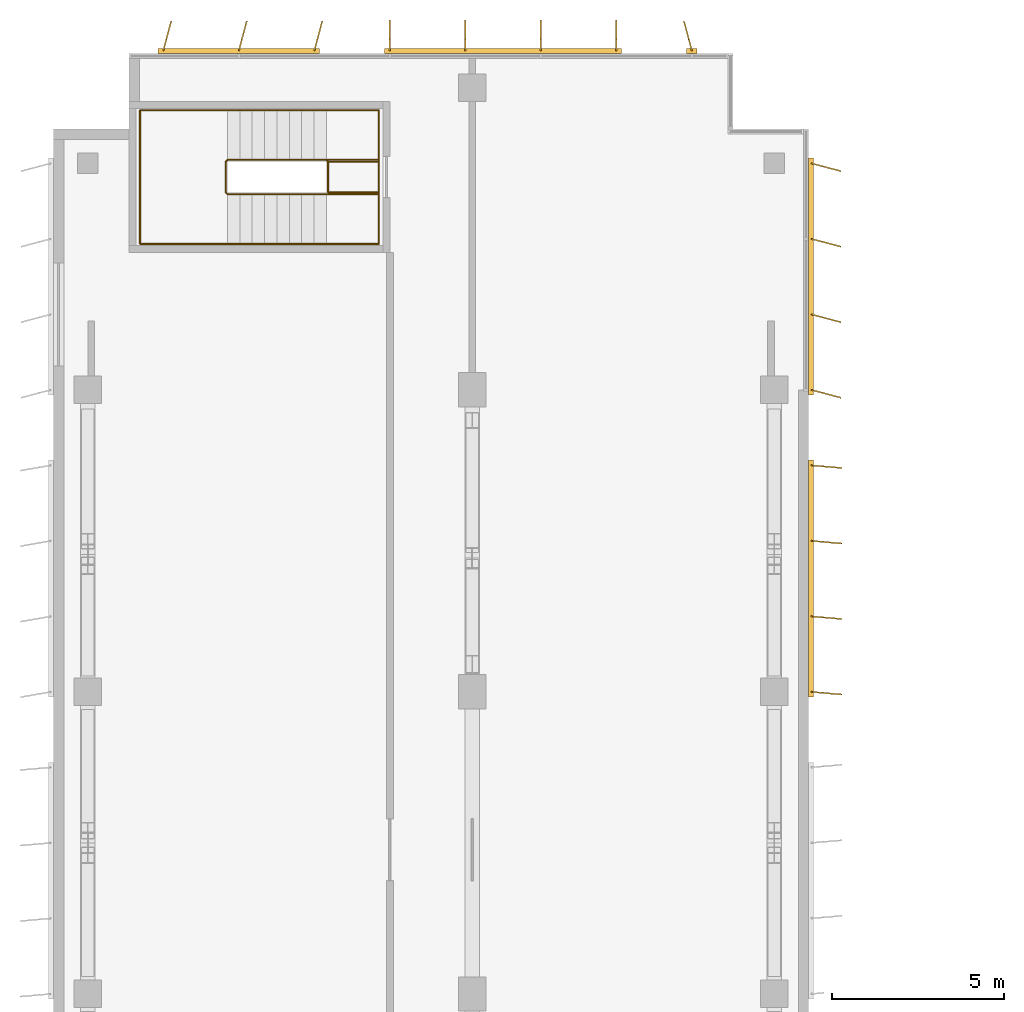
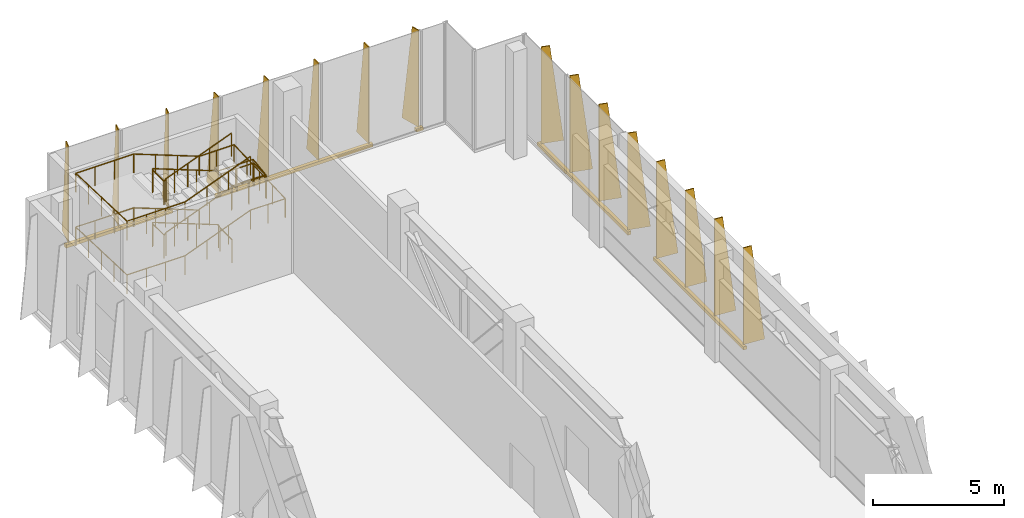
# One storey, part 13 of 13: 5 shading devices, 2 railings.
"""IFC4 building model written with IfcOpenShell, lengths in metres."""

from ifc_helpers import new_model, si_unit, direction, frame, origin, origin_2d, place, context, subcontext, project, spatial, polyline, rectangle, circle, outline, extrude, source, transform, mapped, material, layer, layer_set, type_object, element, save


model = new_model("IFC4")

# Units and contexts
model_context = context("Model", 3, precision=1e-05, world=origin(), true_north=direction((0.0, 1.0)))
body_context = subcontext(model_context, "Body", "Model", "MODEL_VIEW")
ifc_project = project(units=[si_unit("LENGTHUNIT", "METRE"), si_unit("AREAUNIT", "SQUARE_METRE"), si_unit("VOLUMEUNIT", "CUBIC_METRE"), si_unit("PLANEANGLEUNIT", "RADIAN"), si_unit("MASSUNIT", "GRAM", prefix="KILO")], contexts=[model_context])

# Site, building, storey
site_placement = place(None, origin())
site = spatial("IfcSite", under=ifc_project, at=site_placement, CompositionType="ELEMENT")
building_placement = place(site_placement, origin())
building = spatial("IfcBuilding", under=site, at=building_placement, Name="Kemantara Hotel Tower", CompositionType="ELEMENT")
storey_placement = place(building_placement, frame((0.0, 0.0, 256.10009765625)))
storey = spatial("IfcBuildingStorey", under=building, at=storey_placement, Name="L64", CompositionType="ELEMENT", Elevation=256.10009765625)

# Railings
ifc_material_1 = material(Name="Stainless steel balustrade", Category="steel")
railing_type_1 = type_object("IfcRailingType", Name="Stair guard 1100 mm", PredefinedType="GUARDRAIL", material=ifc_material_1)
railing_1_placement = place(storey_placement, frame((7.949951171875, 59.5, 5.0)))
element("IfcRailing", 1, at=railing_1_placement, inside=storey, type_object=railing_type_1, Name="L64 ST4 stair guard 1", PredefinedType="GUARDRAIL", context=body_context, shape_type="SweptSolid", body=[
    extrude(circle(Radius=0.02392578125, at=origin_2d()), frame((0.0, 0.0, 1.076171875), z_axis=(-0.932945501407, 0.0, -0.360017626518), x_axis=(0.0, -1.0, 0.0)), (0.0, 0.0, 1.0), 3.0869140625),
    extrude(circle(Radius=0.02392578125, at=origin_2d()), frame((-2.8798828125, 0.0, -0.03515625), z_axis=(-0.321462751274, 0.321462751274, -0.890687037677), x_axis=(-0.707106781187, -0.707106781187, 0.0)), (0.0, 0.0, 1.0), 0.15576171875),
    extrude(circle(Radius=0.02392578125, at=origin_2d()), frame((-2.929931640625, 0.050048828125, -0.173828125), z_axis=(0.0, 1.0, 0.0), x_axis=(-1.0, 0.0, 0.0)), (0.0, 0.0, 1.0), 0.89990234375),
    extrude(circle(Radius=0.02392578125, at=origin_2d()), frame((-2.929931640625, 0.949951171875, -0.173828125), z_axis=(0.707106781187, 0.707106781187, 0.0), x_axis=(-0.707106781187, 0.707106781187, 0.0)), (0.0, 0.0, 1.0), 0.07080078125),
    extrude(circle(Radius=0.02392578125, at=origin_2d()), frame((-2.8798828125, 1.0, -0.173828125), z_axis=(0.932945501407, 0.0, -0.360017626518), x_axis=(0.0, 1.0, 0.0)), (0.0, 0.0, 1.0), 3.0869140625),
    extrude(circle(Radius=0.02392578125, at=origin_2d()), frame((0.0, 1.0, -1.28515625), z_axis=(1.0, 0.0, 0.0), x_axis=(0.0, 1.0, 0.0)), (0.0, 0.0, 1.0), 1.530029296875),
    extrude(circle(Radius=0.02392578125, at=origin_2d()), frame((1.530029296875, 1.0, -1.28515625), z_axis=(0.0, -0.989512544368, -0.144446960987), x_axis=(1.0, 0.0, 0.0)), (0.0, 0.0, 1.0), 0.9599609375),
    extrude(circle(Radius=0.02392578125, at=origin_2d()), frame((1.530029296875, 0.050048828125, -1.423828125), z_axis=(-1.0, 0.0, 0.0), x_axis=(0.0, -1.0, 0.0)), (0.0, 0.0, 1.0), 1.47998046875),
    extrude(circle(Radius=0.02392578125, at=origin_2d()), frame((0.050048828125, 0.050048828125, -1.423828125), z_axis=(0.0, 1.0, 0.0), x_axis=(-1.0, 0.0, 0.0)), (0.0, 0.0, 1.0), 0.89990234375),
    extrude(circle(Radius=0.02392578125, at=origin_2d()), frame((0.050048828125, 0.949951171875, -1.423828125), z_axis=(1.0, 0.0, 0.0), x_axis=(0.0, 1.0, 0.0)), (0.0, 0.0, 1.0), 1.47998046875),
    extrude(circle(Radius=0.02392578125, at=origin_2d()), frame((1.530029296875, 0.949951171875, -1.423828125), z_axis=(0.0, -1.0, 0.0), x_axis=(1.0, 0.0, 0.0)), (0.0, 0.0, 1.0), 0.949951171875),
    extrude(circle(Radius=0.02392578125, at=origin_2d()), frame((1.530029296875, 0.0, -1.423828125), z_axis=(-1.0, 0.0, 0.0), x_axis=(0.0, -1.0, 0.0)), (0.0, 0.0, 1.0), 1.530029296875),
    extrude(circle(Radius=0.02392578125, at=origin_2d()), frame((0.0, 0.0, -1.423828125), z_axis=(-0.932945501407, 0.0, -0.360017626518), x_axis=(0.0, -1.0, 0.0)), (0.0, 0.0, 1.0), 3.0869140625),
    extrude(circle(Radius=0.02392578125, at=origin_2d()), frame((-2.8798828125, 0.0, -2.53515625), z_axis=(-0.321462751274, 0.321462751274, -0.890687037677), x_axis=(-0.707106781187, -0.707106781187, 0.0)), (0.0, 0.0, 1.0), 0.15576171875),
    extrude(circle(Radius=0.02392578125, at=origin_2d()), frame((-2.929931640625, 0.050048828125, -2.673828125), z_axis=(0.0, 1.0, 0.0), x_axis=(-1.0, 0.0, 0.0)), (0.0, 0.0, 1.0), 0.89990234375),
    extrude(circle(Radius=0.02392578125, at=origin_2d()), frame((-2.929931640625, 0.949951171875, -2.673828125), z_axis=(0.707106781187, 0.707106781187, 0.0), x_axis=(-0.707106781187, 0.707106781187, 0.0)), (0.0, 0.0, 1.0), 0.07080078125),
    extrude(circle(Radius=0.02392578125, at=origin_2d()), frame((-2.8798828125, 1.0, -2.673828125), z_axis=(0.932945501407, 0.0, -0.360017626518), x_axis=(0.0, 1.0, 0.0)), (0.0, 0.0, 1.0), 3.0869140625),
    extrude(circle(Radius=0.02392578125, at=origin_2d()), frame((0.0, 1.0, -3.78515625), z_axis=(0.321462751274, -0.321462751274, -0.890687037677), x_axis=(0.707106781187, 0.707106781187, 0.0)), (0.0, 0.0, 1.0), 0.15576171875),
    extrude(circle(Radius=0.02392578125, at=origin_2d()), frame((0.050048828125, 0.949951171875, -3.923828125), z_axis=(0.0, -1.0, 0.0), x_axis=(1.0, 0.0, 0.0)), (0.0, 0.0, 1.0), 0.89990234375),
    extrude(circle(Radius=0.02099609375, at=origin_2d()), origin(), (0.0, 0.0, 1.0), 1.052001953125),
    extrude(circle(Radius=0.02099609375, at=origin_2d()), frame((-0.9599609375, 0.0, -0.370361328125)), (0.0, 0.0, 1.0), 1.052001953125),
    extrude(circle(Radius=0.02099609375, at=origin_2d()), frame((-1.919921875, 0.0, -0.740966796875)), (0.0, 0.0, 1.0), 1.052001953125),
    extrude(circle(Radius=0.02099609375, at=origin_2d()), frame((-2.8798828125, 0.0, -1.111328125)), (0.0, 0.0, 1.0), 1.052001953125),
    extrude(circle(Radius=0.02099609375, at=origin_2d()), frame((-2.929931640625, 0.050048828125, -1.25)), (0.0, 0.0, 1.0), 1.052001953125),
    extrude(circle(Radius=0.02099609375, at=origin_2d()), frame((-2.929931640625, 0.949951171875, -1.25)), (0.0, 0.0, 1.0), 1.052001953125),
    extrude(circle(Radius=0.02099609375, at=origin_2d()), frame((-2.8798828125, 1.0, -1.25)), (0.0, 0.0, 1.0), 1.052001953125),
    extrude(circle(Radius=0.02099609375, at=origin_2d()), frame((-1.919921875, 1.0, -1.620361328125)), (0.0, 0.0, 1.0), 1.052001953125),
    extrude(circle(Radius=0.02099609375, at=origin_2d()), frame((-0.9599609375, 1.0, -1.990966796875)), (0.0, 0.0, 1.0), 1.052001953125),
    extrude(circle(Radius=0.02099609375, at=origin_2d()), frame((0.0, 1.0, -2.361328125)), (0.0, 0.0, 1.0), 1.052001953125),
    extrude(circle(Radius=0.02099609375, at=origin_2d()), frame((0.76513671875, 1.0, -2.361328125)), (0.0, 0.0, 1.0), 1.052001953125),
    extrude(circle(Radius=0.02099609375, at=origin_2d()), frame((1.530029296875, 1.0, -2.361328125)), (0.0, 0.0, 1.0), 1.052001953125),
    extrude(circle(Radius=0.02099609375, at=origin_2d()), frame((1.530029296875, 0.050048828125, -2.5)), (0.0, 0.0, 1.0), 1.052001953125),
    extrude(circle(Radius=0.02099609375, at=origin_2d()), frame((0.7900390625, 0.050048828125, -2.5)), (0.0, 0.0, 1.0), 1.052001953125),
    extrude(circle(Radius=0.02099609375, at=origin_2d()), frame((0.050048828125, 0.050048828125, -2.5)), (0.0, 0.0, 1.0), 1.052001953125),
    extrude(circle(Radius=0.02099609375, at=origin_2d()), frame((0.050048828125, 0.949951171875, -2.5)), (0.0, 0.0, 1.0), 1.052001953125),
    extrude(circle(Radius=0.02099609375, at=origin_2d()), frame((0.7900390625, 0.949951171875, -2.5)), (0.0, 0.0, 1.0), 1.052001953125),
    extrude(circle(Radius=0.02099609375, at=origin_2d()), frame((1.530029296875, 0.949951171875, -2.5)), (0.0, 0.0, 1.0), 1.052001953125),
    extrude(circle(Radius=0.02099609375, at=origin_2d()), frame((1.530029296875, 0.0, -2.5)), (0.0, 0.0, 1.0), 1.052001953125),
    extrude(circle(Radius=0.02099609375, at=origin_2d()), frame((0.76513671875, 0.0, -2.5)), (0.0, 0.0, 1.0), 1.052001953125),
    extrude(circle(Radius=0.02099609375, at=origin_2d()), frame((0.0, 0.0, -2.5)), (0.0, 0.0, 1.0), 1.052001953125),
    extrude(circle(Radius=0.02099609375, at=origin_2d()), frame((-0.9599609375, 0.0, -2.870361328125)), (0.0, 0.0, 1.0), 1.052001953125),
    extrude(circle(Radius=0.02099609375, at=origin_2d()), frame((-1.919921875, 0.0, -3.240966796875)), (0.0, 0.0, 1.0), 1.052001953125),
    extrude(circle(Radius=0.02099609375, at=origin_2d()), frame((-2.8798828125, 0.0, -3.611328125)), (0.0, 0.0, 1.0), 1.052001953125),
    extrude(circle(Radius=0.02099609375, at=origin_2d()), frame((-2.929931640625, 0.050048828125, -3.75)), (0.0, 0.0, 1.0), 1.052001953125),
    extrude(circle(Radius=0.02099609375, at=origin_2d()), frame((-2.929931640625, 0.949951171875, -3.75)), (0.0, 0.0, 1.0), 1.052001953125),
    extrude(circle(Radius=0.02099609375, at=origin_2d()), frame((-2.8798828125, 1.0, -3.75)), (0.0, 0.0, 1.0), 1.052001953125),
    extrude(circle(Radius=0.02099609375, at=origin_2d()), frame((-1.919921875, 1.0, -4.120361328125)), (0.0, 0.0, 1.0), 1.052001953125),
    extrude(circle(Radius=0.02099609375, at=origin_2d()), frame((-0.9599609375, 1.0, -4.490966796875)), (0.0, 0.0, 1.0), 1.052001953125),
    extrude(circle(Radius=0.02099609375, at=origin_2d()), frame((0.0, 1.0, -4.861328125)), (0.0, 0.0, 1.0), 1.052001953125),
    extrude(circle(Radius=0.02099609375, at=origin_2d()), frame((0.050048828125, 0.949951171875, -5.0)), (0.0, 0.0, 1.0), 1.052001953125),
    extrude(circle(Radius=0.02099609375, at=origin_2d()), frame((0.050048828125, 0.050048828125, -5.0)), (0.0, 0.0, 1.0), 1.052001953125),
])
railing_type_2 = type_object("IfcRailingType", Name="Stair handrail 900 mm", PredefinedType="HANDRAIL", material=ifc_material_1)
railing_2_placement = place(storey_placement, frame((7.949951171875, 61.949951171875, 0.138671875)))
element("IfcRailing", 2, at=railing_2_placement, inside=storey, type_object=railing_type_2, Name="L64 ST4 stair handrail 1", PredefinedType="HANDRAIL", context=body_context, shape_type="SweptSolid", body=[
    extrude(circle(Radius=0.02392578125, at=origin_2d()), frame((0.0, 0.0, 0.8759765625), z_axis=(-0.932945501407, 0.0, 0.360017626518), x_axis=(0.0, -1.0, 0.0)), (0.0, 0.0, 1.0), 3.0869140625),
    extrude(circle(Radius=0.02392578125, at=origin_2d()), frame((-2.8798828125, 0.0, 1.9873046875), z_axis=(-1.0, 0.0, 0.0), x_axis=(0.0, -1.0, 0.0)), (0.0, 0.0, 1.0), 2.550048828125),
    extrude(circle(Radius=0.02392578125, at=origin_2d()), frame((-5.429931640625, 0.0, 1.9873046875), z_axis=(0.0, -0.999368420934, 0.035535323844), x_axis=(1.0, 0.0, 0.0)), (0.0, 0.0, 1.0), 3.90234375),
    extrude(circle(Radius=0.02392578125, at=origin_2d()), frame((-5.429931640625, -3.89990234375, 2.1259765625), z_axis=(1.0, 0.0, 0.0), x_axis=(0.0, 1.0, 0.0)), (0.0, 0.0, 1.0), 2.550048828125),
    extrude(circle(Radius=0.02392578125, at=origin_2d()), frame((-2.8798828125, -3.89990234375, 2.1259765625), z_axis=(0.932945501407, 0.0, 0.360017626518), x_axis=(0.0, 1.0, 0.0)), (0.0, 0.0, 1.0), 3.0869140625),
    extrude(circle(Radius=0.02392578125, at=origin_2d()), frame((0.0, -3.89990234375, 3.2373046875), z_axis=(1.0, 0.0, 0.0), x_axis=(0.0, 1.0, 0.0)), (0.0, 0.0, 1.0), 1.530029296875),
    extrude(circle(Radius=0.02392578125, at=origin_2d()), frame((1.530029296875, -3.89990234375, 3.2373046875), z_axis=(0.0, 0.999368420934, 0.035535323844), x_axis=(-1.0, 0.0, 0.0)), (0.0, 0.0, 1.0), 3.90234375),
    extrude(circle(Radius=0.02392578125, at=origin_2d()), frame((1.530029296875, 0.0, 3.3759765625), z_axis=(-1.0, 0.0, 0.0), x_axis=(0.0, -1.0, 0.0)), (0.0, 0.0, 1.0), 1.530029296875),
    extrude(circle(Radius=0.02392578125, at=origin_2d()), frame((0.0, 0.0, 3.3759765625), z_axis=(-0.932945501407, 0.0, 0.360017626518), x_axis=(0.0, -1.0, 0.0)), (0.0, 0.0, 1.0), 3.0869140625),
    extrude(circle(Radius=0.02392578125, at=origin_2d()), frame((-2.8798828125, 0.0, 4.4873046875), z_axis=(-1.0, 0.0, 0.0), x_axis=(0.0, -1.0, 0.0)), (0.0, 0.0, 1.0), 2.550048828125),
    extrude(circle(Radius=0.02392578125, at=origin_2d()), frame((-5.429931640625, 0.0, 4.4873046875), z_axis=(0.0, -0.999368420934, 0.035535323844), x_axis=(1.0, 0.0, 0.0)), (0.0, 0.0, 1.0), 3.90234375),
    extrude(circle(Radius=0.02392578125, at=origin_2d()), frame((-5.429931640625, -3.89990234375, 4.6259765625), z_axis=(1.0, 0.0, 0.0), x_axis=(0.0, 1.0, 0.0)), (0.0, 0.0, 1.0), 2.550048828125),
    extrude(circle(Radius=0.02392578125, at=origin_2d()), frame((-2.8798828125, -3.89990234375, 4.6259765625), z_axis=(0.932945501407, 0.0, 0.360017626518), x_axis=(0.0, 1.0, 0.0)), (0.0, 0.0, 1.0), 3.0869140625),
    extrude(circle(Radius=0.02099609375, at=origin_2d()), origin(), (0.0, 0.0, 1.0), 0.851806640625),
    extrude(circle(Radius=0.02099609375, at=origin_2d()), frame((-0.9599609375, 0.0, 0.370361328125)), (0.0, 0.0, 1.0), 0.851806640625),
    extrude(circle(Radius=0.02099609375, at=origin_2d()), frame((-1.919921875, 0.0, 0.740966796875)), (0.0, 0.0, 1.0), 0.851806640625),
    extrude(circle(Radius=0.02099609375, at=origin_2d()), frame((-2.8798828125, 0.0, 1.111328125)), (0.0, 0.0, 1.0), 0.851806640625),
    extrude(circle(Radius=0.02099609375, at=origin_2d()), frame((-3.72998046875, 0.0, 1.111328125)), (0.0, 0.0, 1.0), 0.851806640625),
    extrude(circle(Radius=0.02099609375, at=origin_2d()), frame((-4.579833984375, 0.0, 1.111328125)), (0.0, 0.0, 1.0), 0.851806640625),
    extrude(circle(Radius=0.02099609375, at=origin_2d()), frame((-5.429931640625, 0.0, 1.111328125)), (0.0, 0.0, 1.0), 0.851806640625),
    extrude(circle(Radius=0.02099609375, at=origin_2d()), frame((-5.429931640625, -0.97509765625, 1.14599609375)), (0.0, 0.0, 1.0), 0.851806640625),
    extrude(circle(Radius=0.02099609375, at=origin_2d()), frame((-5.429931640625, -1.949951171875, 1.1806640625)), (0.0, 0.0, 1.0), 0.851806640625),
    extrude(circle(Radius=0.02099609375, at=origin_2d()), frame((-5.429931640625, -2.9248046875, 1.21533203125)), (0.0, 0.0, 1.0), 0.851806640625),
    extrude(circle(Radius=0.02099609375, at=origin_2d()), frame((-5.429931640625, -3.89990234375, 1.25)), (0.0, 0.0, 1.0), 0.851806640625),
    extrude(circle(Radius=0.02099609375, at=origin_2d()), frame((-4.579833984375, -3.89990234375, 1.25)), (0.0, 0.0, 1.0), 0.851806640625),
    extrude(circle(Radius=0.02099609375, at=origin_2d()), frame((-3.72998046875, -3.89990234375, 1.25)), (0.0, 0.0, 1.0), 0.851806640625),
    extrude(circle(Radius=0.02099609375, at=origin_2d()), frame((-2.8798828125, -3.89990234375, 1.25)), (0.0, 0.0, 1.0), 0.851806640625),
    extrude(circle(Radius=0.02099609375, at=origin_2d()), frame((-1.919921875, -3.89990234375, 1.620361328125)), (0.0, 0.0, 1.0), 0.851806640625),
    extrude(circle(Radius=0.02099609375, at=origin_2d()), frame((-0.9599609375, -3.89990234375, 1.990966796875)), (0.0, 0.0, 1.0), 0.851806640625),
    extrude(circle(Radius=0.02099609375, at=origin_2d()), frame((0.0, -3.89990234375, 2.361328125)), (0.0, 0.0, 1.0), 0.851806640625),
    extrude(circle(Radius=0.02099609375, at=origin_2d()), frame((0.76513671875, -3.89990234375, 2.361328125)), (0.0, 0.0, 1.0), 0.851806640625),
    extrude(circle(Radius=0.02099609375, at=origin_2d()), frame((1.530029296875, -3.89990234375, 2.361328125)), (0.0, 0.0, 1.0), 0.851806640625),
    extrude(circle(Radius=0.02099609375, at=origin_2d()), frame((1.530029296875, -2.9248046875, 2.39599609375)), (0.0, 0.0, 1.0), 0.851806640625),
    extrude(circle(Radius=0.02099609375, at=origin_2d()), frame((1.530029296875, -1.949951171875, 2.4306640625)), (0.0, 0.0, 1.0), 0.851806640625),
    extrude(circle(Radius=0.02099609375, at=origin_2d()), frame((1.530029296875, -0.97509765625, 2.46533203125)), (0.0, 0.0, 1.0), 0.851806640625),
    extrude(circle(Radius=0.02099609375, at=origin_2d()), frame((1.530029296875, 0.0, 2.5)), (0.0, 0.0, 1.0), 0.851806640625),
    extrude(circle(Radius=0.02099609375, at=origin_2d()), frame((0.76513671875, 0.0, 2.5)), (0.0, 0.0, 1.0), 0.851806640625),
    extrude(circle(Radius=0.02099609375, at=origin_2d()), frame((0.0, 0.0, 2.5)), (0.0, 0.0, 1.0), 0.851806640625),
    extrude(circle(Radius=0.02099609375, at=origin_2d()), frame((-0.9599609375, 0.0, 2.870361328125)), (0.0, 0.0, 1.0), 0.851806640625),
    extrude(circle(Radius=0.02099609375, at=origin_2d()), frame((-1.919921875, 0.0, 3.240966796875)), (0.0, 0.0, 1.0), 0.851806640625),
    extrude(circle(Radius=0.02099609375, at=origin_2d()), frame((-2.8798828125, 0.0, 3.611328125)), (0.0, 0.0, 1.0), 0.851806640625),
    extrude(circle(Radius=0.02099609375, at=origin_2d()), frame((-3.72998046875, 0.0, 3.611328125)), (0.0, 0.0, 1.0), 0.851806640625),
    extrude(circle(Radius=0.02099609375, at=origin_2d()), frame((-4.579833984375, 0.0, 3.611328125)), (0.0, 0.0, 1.0), 0.851806640625),
    extrude(circle(Radius=0.02099609375, at=origin_2d()), frame((-5.429931640625, 0.0, 3.611328125)), (0.0, 0.0, 1.0), 0.851806640625),
    extrude(circle(Radius=0.02099609375, at=origin_2d()), frame((-5.429931640625, -0.97509765625, 3.64599609375)), (0.0, 0.0, 1.0), 0.851806640625),
    extrude(circle(Radius=0.02099609375, at=origin_2d()), frame((-5.429931640625, -1.949951171875, 3.6806640625)), (0.0, 0.0, 1.0), 0.851806640625),
    extrude(circle(Radius=0.02099609375, at=origin_2d()), frame((-5.429931640625, -2.9248046875, 3.71533203125)), (0.0, 0.0, 1.0), 0.851806640625),
    extrude(circle(Radius=0.02099609375, at=origin_2d()), frame((-5.429931640625, -3.89990234375, 3.75)), (0.0, 0.0, 1.0), 0.851806640625),
    extrude(circle(Radius=0.02099609375, at=origin_2d()), frame((-4.579833984375, -3.89990234375, 3.75)), (0.0, 0.0, 1.0), 0.851806640625),
    extrude(circle(Radius=0.02099609375, at=origin_2d()), frame((-3.72998046875, -3.89990234375, 3.75)), (0.0, 0.0, 1.0), 0.851806640625),
    extrude(circle(Radius=0.02099609375, at=origin_2d()), frame((-2.8798828125, -3.89990234375, 3.75)), (0.0, 0.0, 1.0), 0.851806640625),
    extrude(circle(Radius=0.02099609375, at=origin_2d()), frame((-1.919921875, -3.89990234375, 4.120361328125)), (0.0, 0.0, 1.0), 0.851806640625),
    extrude(circle(Radius=0.02099609375, at=origin_2d()), frame((-0.9599609375, -3.89990234375, 4.490966796875)), (0.0, 0.0, 1.0), 0.851806640625),
    extrude(circle(Radius=0.02099609375, at=origin_2d()), frame((0.0, -3.89990234375, 4.861328125)), (0.0, 0.0, 1.0), 0.851806640625),
])

# Shading devices
ifc_material_2 = material(Name="Perforated aluminium plate 4 mm bronze anodised", Category="aluminium")
ifc_layer_1 = layer(ifc_material_2, 0.0400390625)
ifc_layer_set_1 = layer_set([ifc_layer_1], Name="Perforated aluminium plate 4 mm bronze anodised")
shading_device_type_1 = type_object("IfcShadingDeviceType", Name="SCREEN FIN CASSETTE, 3 BLADES AT -15.0 DEG, 4500 HIGH", PredefinedType="USERDEFINED", material=ifc_layer_set_1)
shared_shape_1 = source(origin(), body_context, "Body", "SweptSolid", [
    extrude(rectangle(XDim=4.699951171875, YDim=0.14990234375, at=origin_2d()), frame((2.199951171875, -0.074951171875, -0.14990234375), z_axis=(0.0, 0.0, 1.0), x_axis=(1.0, 0.0, 0.0)), (0.0, 0.0, 1.0), 0.14990234375),
    extrude(outline(polyline([(0.0, 0.0), (0.89990234375, 0.0), (0.35009765625, 4.5), (0.0, 4.5), (0.0, 0.0)])), frame((0.019287109375, -0.080078125, 0.0), z_axis=(-0.966437683387, 0.256901156343, 0.0), x_axis=(-0.256901156343, -0.966437683387, 0.0)), (0.0, 0.0, 1.0), 0.039794921875),
    extrude(outline(polyline([(0.0, 0.0), (0.89990234375, 0.0), (0.35009765625, 4.5), (0.0, 4.5), (0.0, 0.0)])), frame((2.21923828125, -0.080078125, 0.0), z_axis=(-0.966437683387, 0.256901156343, 0.0), x_axis=(-0.256901156343, -0.966437683387, 0.0)), (0.0, 0.0, 1.0), 0.039794921875),
    extrude(outline(polyline([(0.0, 0.0), (0.89990234375, 0.0), (0.35009765625, 4.5), (0.0, 4.5), (0.0, 0.0)])), frame((4.41943359375, -0.080078125, 0.0), z_axis=(-0.966837822169, 0.255391122837, 0.0), x_axis=(-0.255391122837, -0.966837822169, 0.0)), (0.0, 0.0, 1.0), 0.0400390625),
])
shading_device_1_placement = place(storey_placement, frame((7.60009765625, 63.60009765625, 0.099853515625), z_axis=(0.0, 0.0, 1.0), x_axis=(-1.0, 0.0, 0.0)))
element("IfcShadingDevice", 3, at=shading_device_1_placement, inside=storey, type_object=shading_device_type_1, Name="SCREEN FIN CASSETTE L64 T4-R02-3", ObjectType="SCREEN FIN", PredefinedType="USERDEFINED", context=body_context, shape_type="MappedRepresentation", body=[
    mapped(shared_shape_1, transform((0.0, 0.0, 0.0))),
])
ifc_layer_2 = layer(ifc_material_2, 0.0400390625)
ifc_layer_set_2 = layer_set([ifc_layer_2], Name="Perforated aluminium plate 4 mm bronze anodised")
shading_device_type_2 = type_object("IfcShadingDeviceType", Name="SCREEN FIN CASSETTE, 4 BLADES AT -5.0 DEG, 4500 HIGH", PredefinedType="USERDEFINED", material=ifc_layer_set_2)
shared_shape_2 = source(origin(), body_context, "Body", "SweptSolid", [
    extrude(rectangle(XDim=6.89990234375, YDim=0.14990234375, at=origin_2d()), frame((3.300048828125, -0.074951171875, -0.14990234375), z_axis=(0.0, 0.0, 1.0), x_axis=(1.0, 0.0, 0.0)), (0.0, 0.0, 1.0), 0.14990234375),
    extrude(outline(polyline([(0.0, 0.0), (0.89990234375, 0.0), (0.35009765625, 4.5), (0.0, 4.5), (0.0, 0.0)])), frame((0.02001953125, -0.07666015625, 0.0), z_axis=(-0.996376129781, 0.085056498884, 0.0), x_axis=(-0.085056498884, -0.996376129781, 0.0)), (0.0, 0.0, 1.0), 0.040283203125),
    extrude(outline(polyline([(0.0, 0.0), (0.89990234375, 0.0), (0.35009765625, 4.5), (0.0, 4.5), (0.0, 0.0)])), frame((2.219970703125, -0.07666015625, 0.0), z_axis=(-0.996331773833, 0.085574508182, 0.0), x_axis=(-0.085574508182, -0.996331773833, 0.0)), (0.0, 0.0, 1.0), 0.0400390625),
    extrude(outline(polyline([(0.0, 0.0), (0.89990234375, 0.0), (0.35009765625, 4.5), (0.0, 4.5), (0.0, 0.0)])), frame((4.419921875, -0.07666015625, 0.0), z_axis=(-0.996331773833, 0.085574508182, 0.0), x_axis=(-0.085574508182, -0.996331773833, 0.0)), (0.0, 0.0, 1.0), 0.0400390625),
    extrude(outline(polyline([(0.0, 0.0), (0.89990234375, 0.0), (0.35009765625, 4.5), (0.0, 4.5), (0.0, 0.0)])), frame((6.619873046875, -0.07666015625, 0.0), z_axis=(-0.996331773833, 0.085574508182, 0.0), x_axis=(-0.085574508182, -0.996331773833, 0.0)), (0.0, 0.0, 1.0), 0.0400390625),
])
shading_device_2_placement = place(storey_placement, frame((22.0, 45.0, 0.099853515625), z_axis=(0.0, 0.0, 1.0), x_axis=(0.0, 1.0, 0.0)))
element("IfcShadingDevice", 4, at=shading_device_2_placement, inside=storey, type_object=shading_device_type_2, Name="SCREEN FIN CASSETTE L64 T4-R15-3", ObjectType="SCREEN FIN", PredefinedType="USERDEFINED", context=body_context, shape_type="MappedRepresentation", body=[
    mapped(shared_shape_2, transform((0.0, 0.0, 0.0))),
])
ifc_layer_3 = layer(ifc_material_2, 0.0400390625)
ifc_layer_set_3 = layer_set([ifc_layer_3], Name="Perforated aluminium plate 4 mm bronze anodised")
shading_device_type_3 = type_object("IfcShadingDeviceType", Name="SCREEN FIN CASSETTE, 4 BLADES AT +0.0 DEG, 4500 HIGH", PredefinedType="USERDEFINED", material=ifc_layer_set_3)
shared_shape_3 = source(origin(), body_context, "Body", "SweptSolid", [
    extrude(rectangle(XDim=6.89990234375, YDim=0.14990234375, at=origin_2d()), frame((3.300048828125, -0.074951171875, -0.14990234375), z_axis=(0.0, 0.0, 1.0), x_axis=(1.0, 0.0, 0.0)), (0.0, 0.0, 1.0), 0.14990234375),
    extrude(outline(polyline([(0.0, 0.0), (0.89990234375, 0.0), (0.35009765625, 4.5), (0.0, 4.5), (0.0, 0.0)])), frame((0.02001953125, -0.074951171875, 0.0), z_axis=(-1.0, 0.0, 0.0), x_axis=(0.0, -1.0, 0.0)), (0.0, 0.0, 1.0), 0.0400390625),
    extrude(outline(polyline([(0.0, 0.0), (0.89990234375, 0.0), (0.35009765625, 4.5), (0.0, 4.5), (0.0, 0.0)])), frame((2.219970703125, -0.074951171875, 0.0), z_axis=(-1.0, 0.0, 0.0), x_axis=(0.0, -1.0, 0.0)), (0.0, 0.0, 1.0), 0.0400390625),
    extrude(outline(polyline([(0.0, 0.0), (0.89990234375, 0.0), (0.35009765625, 4.5), (0.0, 4.5), (0.0, 0.0)])), frame((4.419921875, -0.074951171875, 0.0), z_axis=(-1.0, 0.0, 0.0), x_axis=(0.0, -1.0, 0.0)), (0.0, 0.0, 1.0), 0.0400390625),
    extrude(outline(polyline([(0.0, 0.0), (0.89990234375, 0.0), (0.35009765625, 4.5), (0.0, 4.5), (0.0, 0.0)])), frame((6.6201171875, -0.074951171875, 0.0), z_axis=(-1.0, 0.0, 0.0), x_axis=(0.0, -1.0, 0.0)), (0.0, 0.0, 1.0), 0.0400390625),
])
shading_device_3_placement = place(storey_placement, frame((16.39990234375, 63.60009765625, 0.099853515625), z_axis=(0.0, 0.0, 1.0), x_axis=(-1.0, 0.0, 0.0)))
element("IfcShadingDevice", 5, at=shading_device_3_placement, inside=storey, type_object=shading_device_type_3, Name="SCREEN FIN CASSETTE L64 T4-R02-2", ObjectType="SCREEN FIN", PredefinedType="USERDEFINED", context=body_context, shape_type="MappedRepresentation", body=[
    mapped(shared_shape_3, transform((0.0, 0.0, 0.0))),
])
ifc_layer_4 = layer(ifc_material_2, 0.0400390625)
ifc_layer_set_4 = layer_set([ifc_layer_4], Name="Perforated aluminium plate 4 mm bronze anodised")
shading_device_type_4 = type_object("IfcShadingDeviceType", Name="SCREEN FIN CASSETTE, 4 BLADES AT -15.0 DEG, 4500 HIGH", PredefinedType="USERDEFINED", material=ifc_layer_set_4)
shared_shape_4 = source(origin(), body_context, "Body", "SweptSolid", [
    extrude(rectangle(XDim=6.89990234375, YDim=0.14990234375, at=origin_2d()), frame((3.300048828125, -0.074951171875, -0.14990234375), z_axis=(0.0, 0.0, 1.0), x_axis=(1.0, 0.0, 0.0)), (0.0, 0.0, 1.0), 0.14990234375),
    extrude(outline(polyline([(0.0, 0.0), (0.89990234375, 0.0), (0.35009765625, 4.5), (0.0, 4.5), (0.0, 0.0)])), frame((0.019287109375, -0.080078125, 0.0), z_axis=(-0.966437683387, 0.256901156343, 0.0), x_axis=(-0.256901156343, -0.966437683387, 0.0)), (0.0, 0.0, 1.0), 0.039794921875),
    extrude(outline(polyline([(0.0, 0.0), (0.89990234375, 0.0), (0.35009765625, 4.5), (0.0, 4.5), (0.0, 0.0)])), frame((2.21923828125, -0.080078125, 0.0), z_axis=(-0.966437683387, 0.256901156343, 0.0), x_axis=(-0.256901156343, -0.966437683387, 0.0)), (0.0, 0.0, 1.0), 0.039794921875),
    extrude(outline(polyline([(0.0, 0.0), (0.89990234375, 0.0), (0.35009765625, 4.5), (0.0, 4.5), (0.0, 0.0)])), frame((4.41943359375, -0.080078125, 0.0), z_axis=(-0.966837822169, 0.255391122837, 0.0), x_axis=(-0.255391122837, -0.966837822169, 0.0)), (0.0, 0.0, 1.0), 0.0400390625),
    extrude(outline(polyline([(0.0, 0.0), (0.89990234375, 0.0), (0.35009765625, 4.5), (0.0, 4.5), (0.0, 0.0)])), frame((6.619384765625, -0.080078125, 0.0), z_axis=(-0.966837822169, 0.255391122837, 0.0), x_axis=(-0.255391122837, -0.966837822169, 0.0)), (0.0, 0.0, 1.0), 0.0400390625),
])
shading_device_4_placement = place(storey_placement, frame((22.0, 53.800048828125, 0.099853515625), z_axis=(0.0, 0.0, 1.0), x_axis=(0.0, 1.0, 0.0)))
element("IfcShadingDevice", 6, at=shading_device_4_placement, inside=storey, type_object=shading_device_type_4, Name="SCREEN FIN CASSETTE L64 T4-R15-4", ObjectType="SCREEN FIN", PredefinedType="USERDEFINED", context=body_context, shape_type="MappedRepresentation", body=[
    mapped(shared_shape_4, transform((0.0, 0.0, 0.0))),
])
ifc_layer_5 = layer(ifc_material_2, 0.0400390625)
ifc_layer_set_5 = layer_set([ifc_layer_5], Name="Perforated aluminium plate 4 mm bronze anodised")
shading_device_type_5 = type_object("IfcShadingDeviceType", Name="SCREEN FIN CASSETTE, 1 BLADE AT +15.0 DEG, 4500 HIGH", PredefinedType="USERDEFINED", material=ifc_layer_set_5)
shared_shape_5 = source(origin(), body_context, "Body", "SweptSolid", [
    extrude(rectangle(XDim=0.300048828125, YDim=0.14990234375, at=origin_2d()), frame((0.0, -0.074951171875, -0.14990234375), z_axis=(0.0, 0.0, 1.0), x_axis=(1.0, 0.0, 0.0)), (0.0, 0.0, 1.0), 0.14990234375),
    extrude(outline(polyline([(0.0, 0.0), (0.89990234375, 0.0), (0.35009765625, 4.5), (0.0, 4.5), (0.0, 0.0)])), frame((0.019287109375, -0.06982421875, 0.0), z_axis=(-0.966437683387, -0.256901156343, 0.0), x_axis=(0.256901156343, -0.966437683387, 0.0)), (0.0, 0.0, 1.0), 0.039794921875),
])
shading_device_5_placement = place(storey_placement, frame((18.60009765625, 63.60009765625, 0.099853515625), z_axis=(0.0, 0.0, 1.0), x_axis=(-1.0, 0.0, 0.0)))
element("IfcShadingDevice", 7, at=shading_device_5_placement, inside=storey, type_object=shading_device_type_5, Name="SCREEN FIN CASSETTE L64 T4-R02-1", ObjectType="SCREEN FIN", PredefinedType="USERDEFINED", context=body_context, shape_type="MappedRepresentation", body=[
    mapped(shared_shape_5, transform((0.0, 0.0, 0.0))),
])

save(model, "model.ifc")
